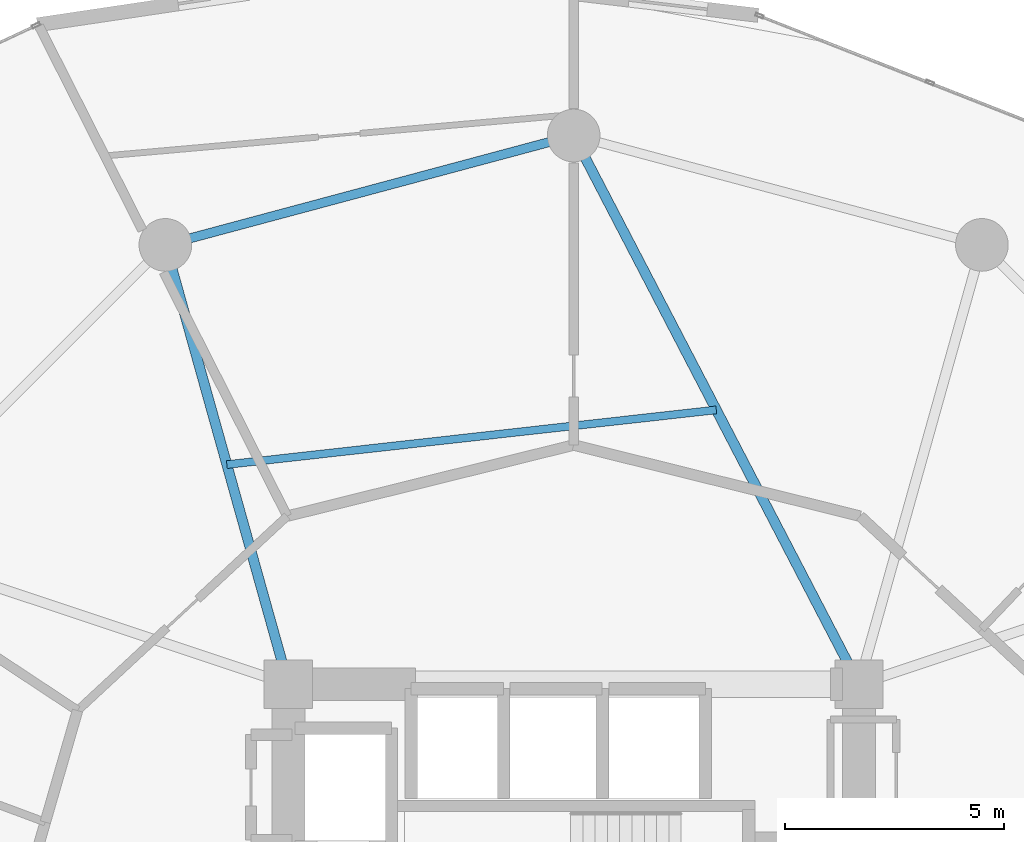
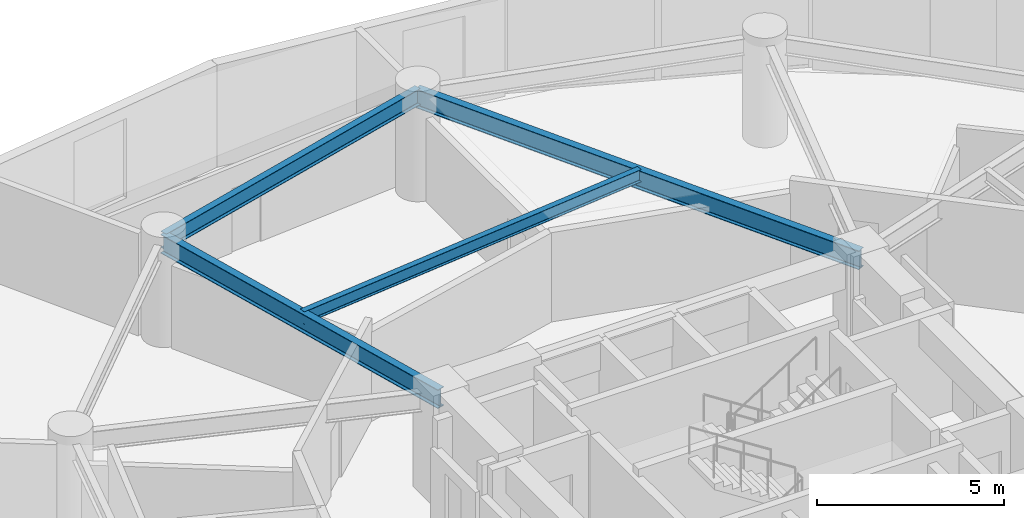
# One storey, part 14 of 25: 4 beams.
"""IFC4 building model written with IfcOpenShell, lengths in metres."""

from ifc_helpers import new_model, si_unit, direction, frame, origin, origin_2d, place, context, subcontext, project, spatial, i_section, extrude, material, material_profile, profile_set, type_object, element, save


model = new_model("IFC4")

# Units and contexts
model_context = context("Model", 3, precision=1e-05, world=origin(), true_north=direction((0.0, 1.0)))
body_context = subcontext(model_context, "Body", "Model", "MODEL_VIEW")
ifc_project = project(units=[si_unit("LENGTHUNIT", "METRE"), si_unit("AREAUNIT", "SQUARE_METRE"), si_unit("VOLUMEUNIT", "CUBIC_METRE"), si_unit("PLANEANGLEUNIT", "RADIAN"), si_unit("MASSUNIT", "GRAM", prefix="KILO")], contexts=[model_context])

# Site, building, storey
site_placement = place(None, origin())
site = spatial("IfcSite", under=ifc_project, at=site_placement, CompositionType="ELEMENT")
building_placement = place(site_placement, origin())
building = spatial("IfcBuilding", under=site, at=building_placement, Name="Solvirekh Grand Hotel", CompositionType="ELEMENT")
storey_placement = place(building_placement, frame((0.0, 0.0, 57.199951171875)))
storey = spatial("IfcBuildingStorey", under=building, at=storey_placement, Name="L13", CompositionType="ELEMENT", Elevation=57.199951171875)

# Beams
ifc_material = material(Name="Steel S355", Category="steel")
ifc_material_profile_1 = material_profile(ifc_material, i_section(OverallWidth=0.22802734375, OverallDepth=0.616943359375, WebThickness=0.012939453125, FlangeThickness=0.02001953125, FilletRadius=0.014892578125, at=origin_2d()), Name="W610X140")
ifc_profile_set_1 = profile_set([ifc_material_profile_1], Name="Steel S355")
beam_type_1 = type_object("IfcBeamType", Name="Beam_Radial_W610", PredefinedType="BEAM", material=ifc_profile_set_1)
beam_1_placement = place(storey_placement, frame((6.5, 6.10009765625, 3.031005859375), z_axis=(-0.461352736642, 0.887216801235, 0.0), x_axis=(-0.887216801235, -0.461352736642, 0.0)))
element("IfcBeam", 1, at=beam_1_placement, inside=storey, type_object=beam_type_1, Name="L13 radial floor beam R04", PredefinedType="BEAM", context=body_context, shape_type="SweptSolid", body=[
    extrude(i_section(OverallWidth=0.22802734375, OverallDepth=0.616943359375, WebThickness=0.012939453125, FlangeThickness=0.02001953125, FilletRadius=0.014892578125, at=origin_2d()), origin(), (0.0, 0.0, 1.0), 14.089111328125),
])
beam_2_placement = place(storey_placement, frame((-6.5, 6.10009765625, 3.031005859375), z_axis=(-0.269439084681, 0.963017434757, 0.0), x_axis=(-0.963017434757, -0.269439084681, 0.0)))
element("IfcBeam", 2, at=beam_2_placement, inside=storey, type_object=beam_type_1, Name="L13 radial floor beam R05", PredefinedType="BEAM", context=body_context, shape_type="SweptSolid", body=[
    extrude(i_section(OverallWidth=0.22802734375, OverallDepth=0.616943359375, WebThickness=0.012939453125, FlangeThickness=0.02001953125, FilletRadius=0.014892578125, at=origin_2d()), origin(), (0.0, 0.0, 1.0), 10.39208984375),
])
ifc_material_profile_2 = material_profile(ifc_material, i_section(OverallWidth=0.177978515625, OverallDepth=0.406982421875, WebThickness=0.008056640625, FlangeThickness=0.011962890625, FilletRadius=0.011962890625, at=origin_2d()), Name="W410X60")
ifc_profile_set_2 = profile_set([ifc_material_profile_2], Name="Steel S355")
beam_type_2 = type_object("IfcBeamType", Name="Joist_Floor_W410", PredefinedType="JOIST", material=ifc_profile_set_2)
beam_3_placement = place(storey_placement, frame((3.25, 12.35009765625, 3.136962890625), z_axis=(-0.99381294191, -0.111066810937, 0.0), x_axis=(0.111066810937, -0.99381294191, 0.0)))
element("IfcBeam", 3, at=beam_3_placement, inside=storey, type_object=beam_type_2, Name="L13 secondary composite floor joist 4", PredefinedType="JOIST", context=body_context, shape_type="SweptSolid", body=[
    extrude(i_section(OverallWidth=0.177978515625, OverallDepth=0.406982421875, WebThickness=0.008056640625, FlangeThickness=0.011962890625, FilletRadius=0.011962890625, at=origin_2d()), origin(), (0.0, 0.0, 1.0), 11.21923828125),
])
ifc_material_profile_3 = material_profile(ifc_material, i_section(OverallWidth=0.208984375, OverallDepth=0.532958984375, WebThickness=0.010009765625, FlangeThickness=0.014892578125, FilletRadius=0.013916015625, at=origin_2d()), Name="W530X92")
ifc_profile_set_3 = profile_set([ifc_material_profile_3], Name="Steel S355")
beam_type_3 = type_object("IfcBeamType", Name="Spandrel_Ring_W530", PredefinedType="SPANDREL", material=ifc_profile_set_3)
beam_4_placement = place(storey_placement, frame((0.0, 18.60009765625, 3.072998046875), z_axis=(-0.965919414426, -0.258842973314, 0.0), x_axis=(0.258842973314, -0.965919414426, 0.0)))
element("IfcBeam", 4, at=beam_4_placement, inside=storey, type_object=beam_type_3, Name="L13 perimeter spandrel beam 4", PredefinedType="SPANDREL", context=body_context, shape_type="SweptSolid", body=[
    extrude(i_section(OverallWidth=0.208984375, OverallDepth=0.532958984375, WebThickness=0.010009765625, FlangeThickness=0.014892578125, FilletRadius=0.013916015625, at=origin_2d()), origin(), (0.0, 0.0, 1.0), 9.628173828125),
])

save(model, "model.ifc")
